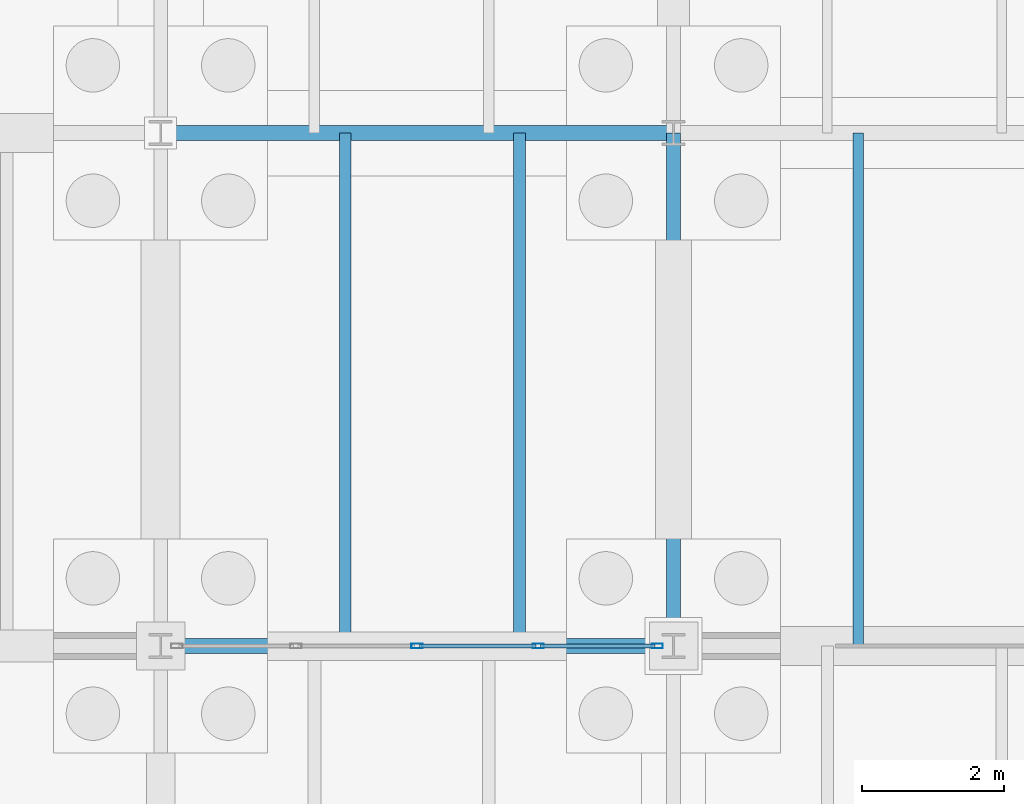
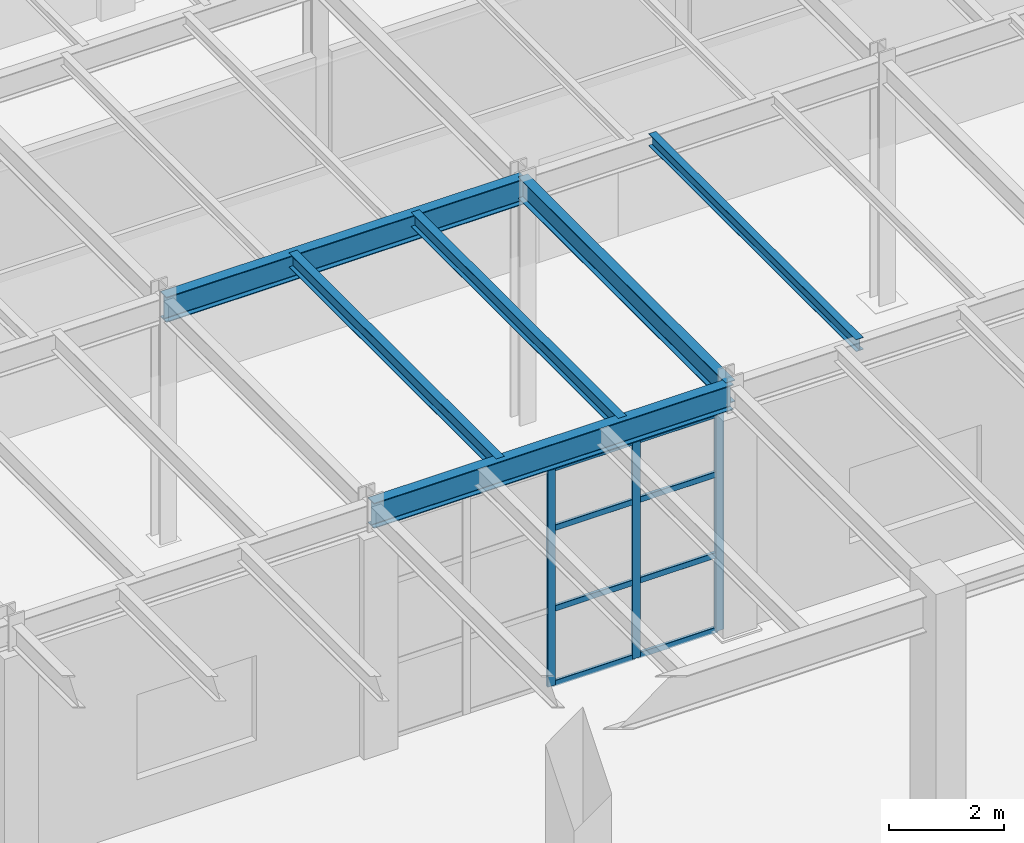
# One storey, part 83 of 293: 11 members, 6 beams, 1 element without a shape of its own.
"""IFC4 building model written with IfcOpenShell, lengths in metres."""

from ifc_helpers import new_model, si_unit, direction, frame, origin, origin_2d, place, context, subcontext, project, spatial, hollow_rectangle, i_section, extrude, material, layer, layer_set, material_profile, profile_set, type_object, element, aggregate, save


model = new_model("IFC4")

# Units and contexts
model_context = context("Model", 3, precision=1e-05, world=origin(), true_north=direction((0.0, 1.0)))
body_context = subcontext(model_context, "Body", "Model", "MODEL_VIEW")
ifc_project = project(units=[si_unit("LENGTHUNIT", "METRE"), si_unit("AREAUNIT", "SQUARE_METRE"), si_unit("VOLUMEUNIT", "CUBIC_METRE"), si_unit("PLANEANGLEUNIT", "RADIAN"), si_unit("MASSUNIT", "GRAM", prefix="KILO")], contexts=[model_context])

# Site, building, storey
site_placement = place(None, origin())
site = spatial("IfcSite", under=ifc_project, at=site_placement, CompositionType="ELEMENT")
building_placement = place(site_placement, origin())
building = spatial("IfcBuilding", under=site, at=building_placement, Name="Kemerveld Promenade Tramway Depot", CompositionType="ELEMENT")
storey_placement = place(building_placement, origin())
storey = spatial("IfcBuildingStorey", under=building, at=storey_placement, Name="L00", CompositionType="ELEMENT", Elevation=0.0)

# Beams
ifc_material_1 = material(Name="Steel S355", Category="steel")
ifc_material_profile_1 = material_profile(ifc_material_1, i_section(OverallWidth=0.2099609375, OverallDepth=0.53662109375, WebThickness=0.0107421875, FlangeThickness=0.017333984375, FilletRadius=0.0126953125, at=origin_2d()), Name="533x210x101 UB")
ifc_profile_set_1 = profile_set([ifc_material_profile_1], Name="Steel S355")
beam_type_1 = type_object("IfcBeamType", Name="BM-G05", PredefinedType="BEAM", material=ifc_profile_set_1)
for number, where, z_axis, x_axis, name in (
    (1, (100.800048828125, 7.199951171875, 4.906494140625), (1.0, 0.0, 0.0), (0.0, 1.0, 0.0), "BMX-L00-15-16-B"),
    (2, (100.800048828125, 14.39990234375, 4.906494140625), (1.0, 0.0, 0.0), (0.0, 1.0, 0.0), "BMX-L00-15-16-C"),
):
    element("IfcBeam", number, at=place(storey_placement, frame(where, z_axis=z_axis, x_axis=x_axis)), inside=storey, type_object=beam_type_1, Name=name, PredefinedType="BEAM", context=body_context, shape_type="SweptSolid", body=[
        extrude(i_section(OverallWidth=0.2099609375, OverallDepth=0.53662109375, WebThickness=0.0107421875, FlangeThickness=0.017333984375, FilletRadius=0.0126953125, at=origin_2d()), origin(), (0.0, 0.0, 1.0), 7.199951171875),
    ])
ifc_material_profile_2 = material_profile(ifc_material_1, i_section(OverallWidth=0.19140625, OverallDepth=0.4599609375, WebThickness=0.010009765625, FlangeThickness=0.01611328125, FilletRadius=0.01025390625, at=origin_2d()), Name="457x191x82 UB")
ifc_profile_set_2 = profile_set([ifc_material_profile_2], Name="Steel S355")
beam_type_2 = type_object("IfcBeamType", Name="BM-G06", PredefinedType="BEAM", material=ifc_profile_set_2)
beam_1_placement = place(storey_placement, frame((108.0, 7.199951171875, 4.945068359375), z_axis=(0.0, 1.0, 0.0), x_axis=(-1.0, 0.0, 0.0)))
element("IfcBeam", 3, at=beam_1_placement, inside=storey, type_object=beam_type_2, Name="BMY-L00-16-B-C", PredefinedType="BEAM", context=body_context, shape_type="SweptSolid", body=[
    extrude(i_section(OverallWidth=0.19140625, OverallDepth=0.4599609375, WebThickness=0.010009765625, FlangeThickness=0.01611328125, FilletRadius=0.01025390625, at=origin_2d()), origin(), (0.0, 0.0, 1.0), 7.199951171875),
])
ifc_material_profile_3 = material_profile(ifc_material_1, i_section(OverallWidth=0.165771484375, OverallDepth=0.306640625, WebThickness=0.006591796875, FlangeThickness=0.01171875, FilletRadius=0.0087890625, at=origin_2d()), Name="305x165x46 UB")
ifc_profile_set_3 = profile_set([ifc_material_profile_3], Name="Steel S355")
beam_type_3 = type_object("IfcBeamType", Name="BM-J01", PredefinedType="JOIST", material=ifc_profile_set_3)
for number, where, z_axis, x_axis, name in (
    (4, (103.39208984375, 7.199951171875, 5.021728515625), (0.0, 1.0, 0.0), (-1.0, 0.0, 0.0), "JST-L00-15-B-1"),
    (5, (105.840087890625, 7.199951171875, 5.021728515625), (0.0, 1.0, 0.0), (-1.0, 0.0, 0.0), "JST-L00-15-B-2"),
):
    element("IfcBeam", number, at=place(storey_placement, frame(where, z_axis=z_axis, x_axis=x_axis)), inside=storey, type_object=beam_type_3, Name=name, PredefinedType="JOIST", context=body_context, shape_type="SweptSolid", body=[
        extrude(i_section(OverallWidth=0.165771484375, OverallDepth=0.306640625, WebThickness=0.006591796875, FlangeThickness=0.01171875, FilletRadius=0.0087890625, at=origin_2d()), origin(), (0.0, 0.0, 1.0), 7.199951171875),
    ])
ifc_material_profile_4 = material_profile(ifc_material_1, i_section(OverallWidth=0.146484375, OverallDepth=0.256103515625, WebThickness=0.00634765625, FlangeThickness=0.010986328125, FilletRadius=0.007568359375, at=origin_2d()), Name="254x146x37 UB")
ifc_profile_set_4 = profile_set([ifc_material_profile_4], Name="Steel S355")
beam_type_4 = type_object("IfcBeamType", Name="BM-J02", PredefinedType="JOIST", material=ifc_profile_set_4)
beam_2_placement = place(storey_placement, frame((110.592041015625, 7.199951171875, 5.047119140625), z_axis=(0.0, 1.0, 0.0), x_axis=(-1.0, 0.0, 0.0)))
element("IfcBeam", 6, at=beam_2_placement, inside=storey, type_object=beam_type_4, Name="JST-L00-16-B-1", PredefinedType="JOIST", context=body_context, shape_type="SweptSolid", body=[
    extrude(i_section(OverallWidth=0.146484375, OverallDepth=0.256103515625, WebThickness=0.00634765625, FlangeThickness=0.010986328125, FilletRadius=0.007568359375, at=origin_2d()), origin(), (0.0, 0.0, 1.0), 7.199951171875),
])

# Curtain wall, members
ifc_material_2 = material(Name="Bronze anodised aluminium and solar glass", Category="aluminium")
ifc_layer = layer(ifc_material_2, 0.159912109375)
ifc_layer_set = layer_set([ifc_layer], Name="CW-SYS-11")
curtain_wall_type = type_object("IfcCurtainWallType", Name="CW-SYS-11", PredefinedType="USERDEFINED", material=ifc_layer_set)
curtain_wall_placement = place(storey_placement, origin())
curtain_wall = element("IfcCurtainWall", 7, at=curtain_wall_placement, inside=storey, type_object=curtain_wall_type, Name="CW-L00-V4S-08", ObjectType="GLAZED_CURTAIN_WALL", PredefinedType="USERDEFINED")
ifc_material_3 = material(Name="Bronze anodised aluminium", Category="aluminium")
ifc_material_profile_5 = material_profile(ifc_material_3, hollow_rectangle(XDim=0.06494140625, YDim=0.159912109375, WallThickness=0.00390625, InnerFilletRadius=0.001953125, OuterFilletRadius=0.00390625, at=origin_2d()), Name="CW-MUL-160x65")
ifc_profile_set_5 = profile_set([ifc_material_profile_5], Name="Bronze anodised aluminium")
member_type_1 = type_object("IfcMemberType", Name="CW-MUL-A", PredefinedType="MULLION", material=ifc_profile_set_5)
member_1_placement = place(storey_placement, frame((107.771240234375, 7.199951171875, 0.0), z_axis=(0.0, 0.0, 1.0), x_axis=(0.0, -1.0, 0.0)))
member_1 = element("IfcMember", 8, at=member_1_placement, type_object=member_type_1, Name="CW11 mullion 1", PredefinedType="MULLION", context=body_context, shape_type="SweptSolid", body=[
    extrude(hollow_rectangle(XDim=0.06494140625, YDim=0.159912109375, WallThickness=0.00390625, InnerFilletRadius=0.001953125, OuterFilletRadius=0.00390625, at=origin_2d()), origin(), (0.0, 0.0, 1.0), 4.618408203125),
])
member_2_placement = place(storey_placement, frame((106.101806640625, 7.199951171875, 0.0), z_axis=(0.0, 0.0, 1.0), x_axis=(0.0, -1.0, 0.0)))
member_2 = element("IfcMember", 9, at=member_2_placement, type_object=member_type_1, Name="CW11 mullion 2", PredefinedType="MULLION", context=body_context, shape_type="SweptSolid", body=[
    extrude(hollow_rectangle(XDim=0.06494140625, YDim=0.159912109375, WallThickness=0.00390625, InnerFilletRadius=0.001953125, OuterFilletRadius=0.00390625, at=origin_2d()), origin(), (0.0, 0.0, 1.0), 4.618408203125),
])
member_3_placement = place(storey_placement, frame((104.39990234375, 7.199951171875, 0.0), z_axis=(0.0, 0.0, 1.0), x_axis=(0.0, -1.0, 0.0)))
member_3 = element("IfcMember", 10, at=member_3_placement, type_object=member_type_1, Name="CW11 mullion 3", PredefinedType="MULLION", context=body_context, shape_type="SweptSolid", body=[
    extrude(hollow_rectangle(XDim=0.06494140625, YDim=0.159912109375, WallThickness=0.00390625, InnerFilletRadius=0.001953125, OuterFilletRadius=0.00390625, at=origin_2d()), origin(), (0.0, 0.0, 1.0), 4.618408203125),
])
ifc_material_profile_6 = material_profile(ifc_material_3, hollow_rectangle(XDim=0.06005859375, YDim=0.1201171875, WallThickness=0.00390625, InnerFilletRadius=0.001953125, OuterFilletRadius=0.00390625, at=origin_2d()), Name="CW-TRN-120x60")
ifc_profile_set_6 = profile_set([ifc_material_profile_6], Name="Bronze anodised aluminium")
member_type_2 = type_object("IfcMemberType", Name="CW-TRN-A", PredefinedType="USERDEFINED", material=ifc_profile_set_6)
member_4_placement = place(storey_placement, frame((107.73876953125, 7.199951171875, 0.030029296875), z_axis=(-1.0, 0.0, 0.0), x_axis=(0.0, -1.0, 0.0)))
member_4 = element("IfcMember", 11, at=member_4_placement, type_object=member_type_2, Name="CW11 transom 1.1", ObjectType="TRANSOM", PredefinedType="USERDEFINED", context=body_context, shape_type="SweptSolid", body=[
    extrude(hollow_rectangle(XDim=0.06005859375, YDim=0.1201171875, WallThickness=0.00390625, InnerFilletRadius=0.001953125, OuterFilletRadius=0.00390625, at=origin_2d()), origin(), (0.0, 0.0, 1.0), 1.6044921875),
])
member_5_placement = place(storey_placement, frame((107.73876953125, 7.199951171875, 1.615966796875), z_axis=(-1.0, 0.0, 0.0), x_axis=(0.0, -1.0, 0.0)))
member_5 = element("IfcMember", 12, at=member_5_placement, type_object=member_type_2, Name="CW11 transom 1.2", ObjectType="TRANSOM", PredefinedType="USERDEFINED", context=body_context, shape_type="SweptSolid", body=[
    extrude(hollow_rectangle(XDim=0.06005859375, YDim=0.1201171875, WallThickness=0.00390625, InnerFilletRadius=0.001953125, OuterFilletRadius=0.00390625, at=origin_2d()), origin(), (0.0, 0.0, 1.0), 1.6044921875),
])
member_6_placement = place(storey_placement, frame((107.73876953125, 7.199951171875, 3.324951171875), z_axis=(-1.0, 0.0, 0.0), x_axis=(0.0, -1.0, 0.0)))
member_6 = element("IfcMember", 13, at=member_6_placement, type_object=member_type_2, Name="CW11 transom 1.3", ObjectType="TRANSOM", PredefinedType="USERDEFINED", context=body_context, shape_type="SweptSolid", body=[
    extrude(hollow_rectangle(XDim=0.06005859375, YDim=0.1201171875, WallThickness=0.00390625, InnerFilletRadius=0.001953125, OuterFilletRadius=0.00390625, at=origin_2d()), origin(), (0.0, 0.0, 1.0), 1.6044921875),
])
member_7_placement = place(storey_placement, frame((107.73876953125, 7.199951171875, 4.58837890625), z_axis=(-1.0, 0.0, 0.0), x_axis=(0.0, -1.0, 0.0)))
member_7 = element("IfcMember", 14, at=member_7_placement, type_object=member_type_2, Name="CW11 transom 1.4", ObjectType="TRANSOM", PredefinedType="USERDEFINED", context=body_context, shape_type="SweptSolid", body=[
    extrude(hollow_rectangle(XDim=0.06005859375, YDim=0.1201171875, WallThickness=0.00390625, InnerFilletRadius=0.001953125, OuterFilletRadius=0.00390625, at=origin_2d()), origin(), (0.0, 0.0, 1.0), 1.6044921875),
])
member_8_placement = place(storey_placement, frame((106.0693359375, 7.199951171875, 0.030029296875), z_axis=(-1.0, 0.0, 0.0), x_axis=(0.0, -1.0, 0.0)))
member_8 = element("IfcMember", 15, at=member_8_placement, type_object=member_type_2, Name="CW11 transom 2.1", ObjectType="TRANSOM", PredefinedType="USERDEFINED", context=body_context, shape_type="SweptSolid", body=[
    extrude(hollow_rectangle(XDim=0.06005859375, YDim=0.1201171875, WallThickness=0.00390625, InnerFilletRadius=0.001953125, OuterFilletRadius=0.00390625, at=origin_2d()), origin(), (0.0, 0.0, 1.0), 1.63671875),
])
member_9_placement = place(storey_placement, frame((106.0693359375, 7.199951171875, 1.615966796875), z_axis=(-1.0, 0.0, 0.0), x_axis=(0.0, -1.0, 0.0)))
member_9 = element("IfcMember", 16, at=member_9_placement, type_object=member_type_2, Name="CW11 transom 2.2", ObjectType="TRANSOM", PredefinedType="USERDEFINED", context=body_context, shape_type="SweptSolid", body=[
    extrude(hollow_rectangle(XDim=0.06005859375, YDim=0.1201171875, WallThickness=0.00390625, InnerFilletRadius=0.001953125, OuterFilletRadius=0.00390625, at=origin_2d()), origin(), (0.0, 0.0, 1.0), 1.63671875),
])
member_10_placement = place(storey_placement, frame((106.0693359375, 7.199951171875, 3.324951171875), z_axis=(-1.0, 0.0, 0.0), x_axis=(0.0, -1.0, 0.0)))
member_10 = element("IfcMember", 17, at=member_10_placement, type_object=member_type_2, Name="CW11 transom 2.3", ObjectType="TRANSOM", PredefinedType="USERDEFINED", context=body_context, shape_type="SweptSolid", body=[
    extrude(hollow_rectangle(XDim=0.06005859375, YDim=0.1201171875, WallThickness=0.00390625, InnerFilletRadius=0.001953125, OuterFilletRadius=0.00390625, at=origin_2d()), origin(), (0.0, 0.0, 1.0), 1.63671875),
])
member_11_placement = place(storey_placement, frame((106.0693359375, 7.199951171875, 4.58837890625), z_axis=(-1.0, 0.0, 0.0), x_axis=(0.0, -1.0, 0.0)))
member_11 = element("IfcMember", 18, at=member_11_placement, type_object=member_type_2, Name="CW11 transom 2.4", ObjectType="TRANSOM", PredefinedType="USERDEFINED", context=body_context, shape_type="SweptSolid", body=[
    extrude(hollow_rectangle(XDim=0.06005859375, YDim=0.1201171875, WallThickness=0.00390625, InnerFilletRadius=0.001953125, OuterFilletRadius=0.00390625, at=origin_2d()), origin(), (0.0, 0.0, 1.0), 1.63671875),
])
aggregate(curtain_wall, [member_1, member_2, member_3, member_4, member_5, member_6, member_7, member_8, member_9, member_10, member_11])

save(model, "model.ifc")
